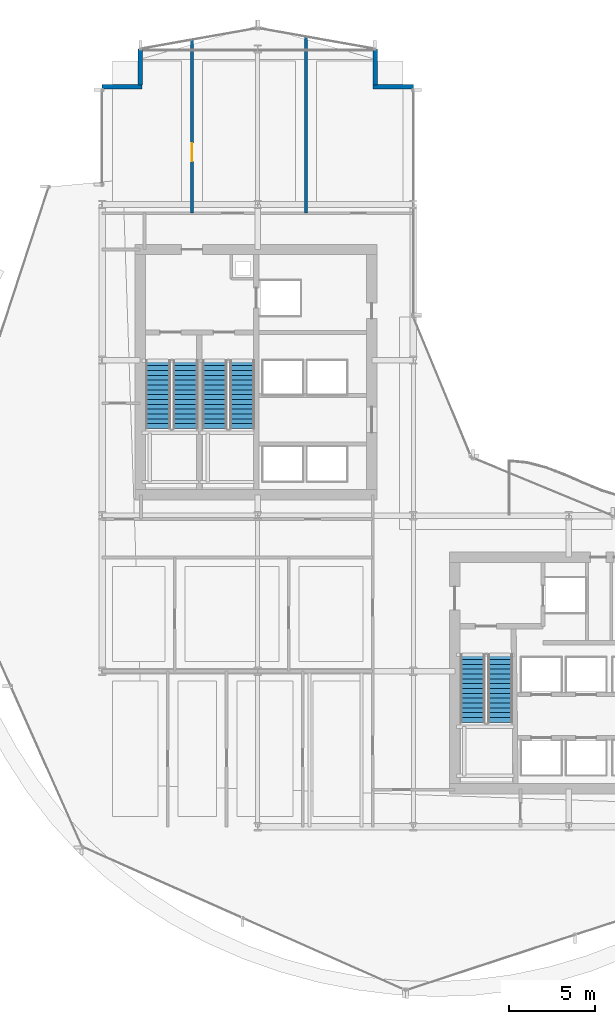
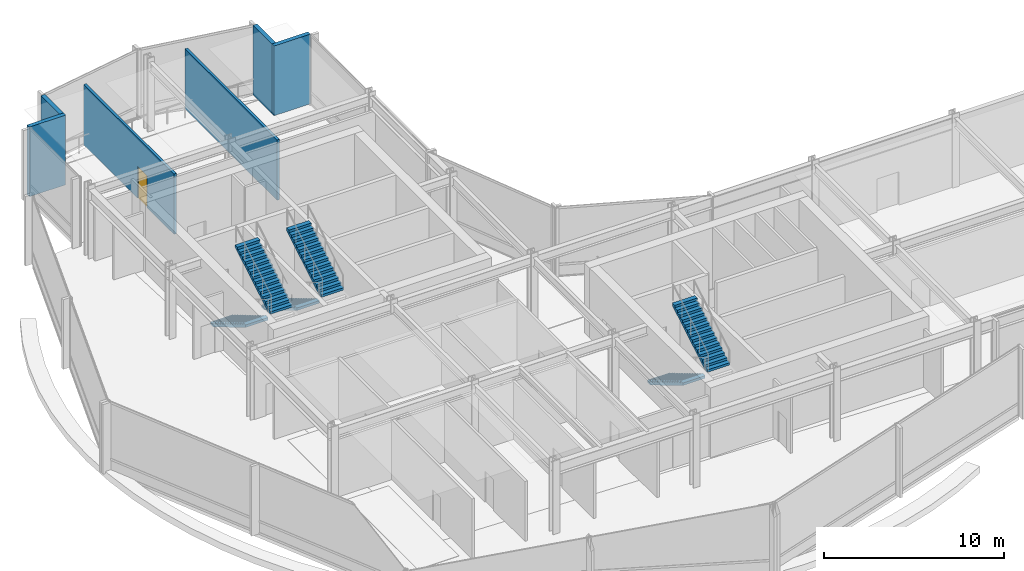
# One storey, part 31 of 39: 6 stair flights, 6 walls, 1 door, 1 opening, 3 elements without a shape of their own.
"""IFC4 building model written with IfcOpenShell, lengths in metres."""

from ifc_helpers import new_model, si_unit, direction, frame, frame_2d, origin, place, context, subcontext, project, spatial, polyline, rectangle, outline, extrude, material, layer, layer_set, type_object, element, fill, aggregate, save


model = new_model("IFC4")

# Units and contexts
model_context = context("Model", 3, precision=1e-05, world=origin(), true_north=direction((0.0, 1.0)))
body_context = subcontext(model_context, "Body", "Model", "MODEL_VIEW")
ifc_project = project(units=[si_unit("LENGTHUNIT", "METRE"), si_unit("AREAUNIT", "SQUARE_METRE"), si_unit("VOLUMEUNIT", "CUBIC_METRE"), si_unit("PLANEANGLEUNIT", "RADIAN"), si_unit("MASSUNIT", "GRAM", prefix="KILO")], contexts=[model_context])

# Site, building, storey
site_placement = place(None, origin())
site = spatial("IfcSite", under=ifc_project, at=site_placement, CompositionType="ELEMENT")
building_placement = place(site_placement, origin())
building = spatial("IfcBuilding", under=site, at=building_placement, Name="Solvaryn Broadcast Tower", CompositionType="ELEMENT")
storey_placement = place(building_placement, frame((0.0, 0.0, 84.10009765625)))
storey = spatial("IfcBuildingStorey", under=building, at=storey_placement, Name="L20", CompositionType="ELEMENT", Elevation=84.10009765625)

# Walls
ifc_material_1 = material(Name="Concrete f'c 50 MPa", Category="concrete")
ifc_layer_1 = layer(ifc_material_1, 0.260009765625)
ifc_layer_set_1 = layer_set([ifc_layer_1], Name="EW-PIER-260")
wall_type_1 = type_object("IfcWallType", Name="EW-PIER-260", PredefinedType="SOLIDWALL", material=ifc_layer_set_1)
wall_1_placement = place(storey_placement, frame((9.0, 51.800048828125, 0.0), z_axis=(0.0, 0.0, 1.0), x_axis=(1.0, 0.0, 0.0)))
element("IfcWall", 1, at=wall_1_placement, inside=storey, type_object=wall_type_1, Name="L20 Notched Corner Pier Wall NNW1", PredefinedType="SOLIDWALL", context=body_context, shape_type="SweptSolid", body=[
    extrude(rectangle(XDim=2.320068359375, YDim=0.260009765625, at=frame_2d((1.16015625, 0.0))), origin(), (0.0, 0.0, 1.0), 4.719970703125),
])
for number, where, z_axis, x_axis, name in (
    (2, (11.199951171875, 51.919921875, 0.0), (0.0, 0.0, 1.0), (0.0, 1.0, 0.0), "L20 Notched Corner Pier Wall NNW2"),
    (3, (24.800048828125, 54.0, 0.0), (0.0, 0.0, 1.0), (0.0, -1.0, 0.0), "L20 Notched Corner Pier Wall NNE1"),
):
    element("IfcWall", number, at=place(storey_placement, frame(where, z_axis=z_axis, x_axis=x_axis)), inside=storey, type_object=wall_type_1, Name=name, PredefinedType="SOLIDWALL", context=body_context, shape_type="SweptSolid", body=[
        extrude(rectangle(XDim=2.080078125, YDim=0.260009765625, at=frame_2d((1.0400390625, 0.0))), origin(), (0.0, 0.0, 1.0), 4.719970703125),
    ])
wall_2_placement = place(storey_placement, frame((24.679931640625, 51.800048828125, 0.0), z_axis=(0.0, 0.0, 1.0), x_axis=(1.0, 0.0, 0.0)))
element("IfcWall", 4, at=wall_2_placement, inside=storey, type_object=wall_type_1, Name="L20 Notched Corner Pier Wall NNE2", PredefinedType="SOLIDWALL", context=body_context, shape_type="SweptSolid", body=[
    extrude(rectangle(XDim=2.320068359375, YDim=0.260009765625, at=frame_2d((1.16015625, 0.0))), origin(), (0.0, 0.0, 1.0), 4.719970703125),
])

# Wall, opening, door
ifc_material_2 = material(Name="Metal-Stud Gypsum Office Partition")
ifc_layer_2 = layer(ifc_material_2, 0.159912109375)
ifc_layer_set_2 = layer_set([ifc_layer_2], Name="IW-PART-160")
wall_type_2 = type_object("IfcWallType", Name="IW-PART-160", PredefinedType="PARTITIONING", material=ifc_layer_set_2)
wall_3_placement = place(storey_placement, frame((14.199951171875, 44.5, 0.0), z_axis=(0.0, 0.0, 1.0), x_axis=(0.0, 1.0, 0.0)))
wall_3 = element("IfcWall", 5, at=wall_3_placement, inside=storey, type_object=wall_type_2, Name="L20 Interior Partition IW-L20-NW-V1", PredefinedType="PARTITIONING", context=body_context, shape_type="SweptSolid", body=[
    extrude(rectangle(XDim=10.029052734375, YDim=0.159912109375, at=frame_2d((5.0146484375, 0.0))), origin(), (0.0, 0.0, 1.0), 4.0888671875),
])
opening_placement = place(wall_3_placement, frame((3.0, 0.0, 0.0)))
opening = element("IfcOpeningElement", 6, at=opening_placement, cuts=wall_3, Name="Opening ID03", PredefinedType="OPENING", context=body_context, shape_type="SweptSolid", body=[
    extrude(rectangle(XDim=1.050048828125, YDim=2.14990234375, at=frame_2d((0.52490234375, 1.074951171875))), frame((0.0, 0.090087890625, 0.0), z_axis=(0.0, -1.0, 0.0), x_axis=(1.0, 0.0, 0.0)), (0.0, 0.0, 1.0), 0.179931640625),
])
ifc_material_3 = material(Name="Flush Acoustic Steel and Timber Door Assembly", Category="steel")
door_type = type_object("IfcDoorType", Name="ID-03-1050X2150", OperationType="NOTDEFINED", PredefinedType="DOOR", material=ifc_material_3)
door_placement = place(opening_placement, origin())
door = element("IfcDoor", 7, at=door_placement, inside=storey, type_object=door_type, Name="L20 Door DR-L20-NW-C1", OperationType="SINGLE_SWING_LEFT", OverallHeight=2.14990234375, OverallWidth=1.050048828125, PredefinedType="DOOR", context=body_context, shape_type="SweptSolid", body=[
    extrude(rectangle(XDim=1.050048828125, YDim=2.14990234375, at=frame_2d((0.52490234375, 1.074951171875))), frame((0.0, 0.02490234375, 0.0), z_axis=(0.0, -1.0, 0.0), x_axis=(1.0, 0.0, 0.0)), (0.0, 0.0, 1.0), 0.050048828125),
])
fill(opening, door)

# Wall
wall_4_placement = place(storey_placement, frame((20.800048828125, 44.5, 0.0), z_axis=(0.0, 0.0, 1.0), x_axis=(0.0, 1.0, 0.0)))
element("IfcWall", 8, at=wall_4_placement, inside=storey, type_object=wall_type_2, Name="L20 Interior Partition IW-L20-NW-V2", PredefinedType="PARTITIONING", context=body_context, shape_type="SweptSolid", body=[
    extrude(rectangle(XDim=10.2060546875, YDim=0.159912109375, at=frame_2d((5.10302734375, 0.0))), origin(), (0.0, 0.0, 1.0), 4.0888671875),
])

# Stair, stair flights
ifc_material_4 = material(Name="Concrete f'c 60 MPa", Category="concrete")
stair_type = type_object("IfcStairType", Name="ST-CORE", PredefinedType="HALF_TURN_STAIR", material=ifc_material_4)
stair_1_placement = place(storey_placement, origin())
stair_1 = element("IfcStair", 9, at=stair_1_placement, inside=storey, type_object=stair_type, Name="L20 ST1", PredefinedType="HALF_TURN_STAIR")
ifc_material_5 = material(Name="Concrete f'c 60 MPa", Category="concrete")
ifc_layer_3 = layer(ifc_material_5, 0.159912109375)
ifc_layer_set_3 = layer_set([ifc_layer_3], Name="SF-CORE")
stair_flight_type = type_object("IfcStairFlightType", Name="SF-CORE", PredefinedType="STRAIGHT", material=ifc_layer_set_3)
stair_flight_1_placement = place(storey_placement, frame((12.239990234375, 35.9599609375, 0.0), z_axis=(0.0, 0.0, 1.0), x_axis=(0.0, -1.0, 0.0)))
stair_flight_1 = element("IfcStairFlight", 10, at=stair_flight_1_placement, type_object=stair_flight_type, Name="ST1 flight 1", NumberOfRisers=15, NumberOfTreads=14, PredefinedType="STRAIGHT", RiserHeight=0.166666667, TreadLength=0.28, context=body_context, shape_type="SweptSolid", body=[
    extrude(outline(polyline([(0.0, 0.0), (0.0, 0.166748046875), (0.280029296875, 0.166748046875), (0.280029296875, 0.333251953125), (0.56005859375, 0.333251953125), (0.56005859375, 0.5), (0.840087890625, 0.5), (0.840087890625, 0.666748046875), (1.1201171875, 0.666748046875), (1.1201171875, 0.833251953125), (1.39990234375, 0.833251953125), (1.39990234375, 1.0), (1.679931640625, 1.0), (1.679931640625, 1.166748046875), (1.9599609375, 1.166748046875), (1.9599609375, 1.333251953125), (2.239990234375, 1.333251953125), (2.239990234375, 1.5), (2.52001953125, 1.5), (2.52001953125, 1.666748046875), (2.800048828125, 1.666748046875), (2.800048828125, 1.833251953125), (3.080078125, 1.833251953125), (3.080078125, 2.0), (3.360107421875, 2.0), (3.360107421875, 2.166748046875), (3.639892578125, 2.166748046875), (3.639892578125, 2.333251953125), (3.919921875, 2.333251953125), (3.919921875, 2.5), (3.919921875, 2.158935546875), (0.29296875, 0.0), (0.0, 0.0)])), frame((0.0, 0.719970703125, 0.0), z_axis=(0.0, -1.0, 0.0), x_axis=(1.0, 0.0, 0.0)), (0.0, 0.0, 1.0), 1.43994140625),
])
stair_flight_2_placement = place(storey_placement, frame((13.830078125, 32.0400390625, 2.5), z_axis=(0.0, 0.0, 1.0), x_axis=(0.0, 1.0, 0.0)))
stair_flight_2 = element("IfcStairFlight", 11, at=stair_flight_2_placement, type_object=stair_flight_type, Name="ST1 flight 2", NumberOfRisers=15, NumberOfTreads=14, PredefinedType="STRAIGHT", RiserHeight=0.166666667, TreadLength=0.28, context=body_context, shape_type="SweptSolid", body=[
    extrude(outline(polyline([(0.0, 0.0), (0.0, 0.166748046875), (0.280029296875, 0.166748046875), (0.280029296875, 0.333251953125), (0.56005859375, 0.333251953125), (0.56005859375, 0.5), (0.840087890625, 0.5), (0.840087890625, 0.666748046875), (1.1201171875, 0.666748046875), (1.1201171875, 0.833251953125), (1.39990234375, 0.833251953125), (1.39990234375, 1.0), (1.679931640625, 1.0), (1.679931640625, 1.166748046875), (1.9599609375, 1.166748046875), (1.9599609375, 1.333251953125), (2.239990234375, 1.333251953125), (2.239990234375, 1.5), (2.52001953125, 1.5), (2.52001953125, 1.666748046875), (2.800048828125, 1.666748046875), (2.800048828125, 1.833251953125), (3.080078125, 1.833251953125), (3.080078125, 2.0), (3.360107421875, 2.0), (3.360107421875, 2.166748046875), (3.639892578125, 2.166748046875), (3.639892578125, 2.333251953125), (3.919921875, 2.333251953125), (3.919921875, 2.5), (3.919921875, 2.158935546875), (0.29296875, 0.0), (0.0, 0.0)])), frame((0.0, 0.719970703125, 0.0), z_axis=(0.0, -1.0, 0.0), x_axis=(1.0, 0.0, 0.0)), (0.0, 0.0, 1.0), 1.43994140625),
])
aggregate(stair_1, [stair_flight_1, stair_flight_2])

stair_2_placement = place(storey_placement, origin())
stair_2 = element("IfcStair", 12, at=stair_2_placement, inside=storey, type_object=stair_type, Name="L20 ST2", PredefinedType="HALF_TURN_STAIR")
stair_flight_3_placement = place(storey_placement, frame((15.52001953125, 35.9599609375, 0.0), z_axis=(0.0, 0.0, 1.0), x_axis=(0.0, -1.0, 0.0)))
stair_flight_3 = element("IfcStairFlight", 13, at=stair_flight_3_placement, type_object=stair_flight_type, Name="ST2 flight 1", NumberOfRisers=15, NumberOfTreads=14, PredefinedType="STRAIGHT", RiserHeight=0.166666667, TreadLength=0.28, context=body_context, shape_type="SweptSolid", body=[
    extrude(outline(polyline([(0.0, 0.0), (0.0, 0.166748046875), (0.280029296875, 0.166748046875), (0.280029296875, 0.333251953125), (0.56005859375, 0.333251953125), (0.56005859375, 0.5), (0.840087890625, 0.5), (0.840087890625, 0.666748046875), (1.1201171875, 0.666748046875), (1.1201171875, 0.833251953125), (1.39990234375, 0.833251953125), (1.39990234375, 1.0), (1.679931640625, 1.0), (1.679931640625, 1.166748046875), (1.9599609375, 1.166748046875), (1.9599609375, 1.333251953125), (2.239990234375, 1.333251953125), (2.239990234375, 1.5), (2.52001953125, 1.5), (2.52001953125, 1.666748046875), (2.800048828125, 1.666748046875), (2.800048828125, 1.833251953125), (3.080078125, 1.833251953125), (3.080078125, 2.0), (3.360107421875, 2.0), (3.360107421875, 2.166748046875), (3.639892578125, 2.166748046875), (3.639892578125, 2.333251953125), (3.919921875, 2.333251953125), (3.919921875, 2.5), (3.919921875, 2.158935546875), (0.29296875, 0.0), (0.0, 0.0)])), frame((0.0, 0.719970703125, 0.0), z_axis=(0.0, -1.0, 0.0), x_axis=(1.0, 0.0, 0.0)), (0.0, 0.0, 1.0), 1.43994140625),
])
stair_flight_4_placement = place(storey_placement, frame((17.110107421875, 32.0400390625, 2.5), z_axis=(0.0, 0.0, 1.0), x_axis=(0.0, 1.0, 0.0)))
stair_flight_4 = element("IfcStairFlight", 14, at=stair_flight_4_placement, type_object=stair_flight_type, Name="ST2 flight 2", NumberOfRisers=15, NumberOfTreads=14, PredefinedType="STRAIGHT", RiserHeight=0.166666667, TreadLength=0.28, context=body_context, shape_type="SweptSolid", body=[
    extrude(outline(polyline([(0.0, 0.0), (0.0, 0.166748046875), (0.280029296875, 0.166748046875), (0.280029296875, 0.333251953125), (0.56005859375, 0.333251953125), (0.56005859375, 0.5), (0.840087890625, 0.5), (0.840087890625, 0.666748046875), (1.1201171875, 0.666748046875), (1.1201171875, 0.833251953125), (1.39990234375, 0.833251953125), (1.39990234375, 1.0), (1.679931640625, 1.0), (1.679931640625, 1.166748046875), (1.9599609375, 1.166748046875), (1.9599609375, 1.333251953125), (2.239990234375, 1.333251953125), (2.239990234375, 1.5), (2.52001953125, 1.5), (2.52001953125, 1.666748046875), (2.800048828125, 1.666748046875), (2.800048828125, 1.833251953125), (3.080078125, 1.833251953125), (3.080078125, 2.0), (3.360107421875, 2.0), (3.360107421875, 2.166748046875), (3.639892578125, 2.166748046875), (3.639892578125, 2.333251953125), (3.919921875, 2.333251953125), (3.919921875, 2.5), (3.919921875, 2.158935546875), (0.29296875, 0.0), (0.0, 0.0)])), frame((0.0, 0.719970703125, 0.0), z_axis=(0.0, -1.0, 0.0), x_axis=(1.0, 0.0, 0.0)), (0.0, 0.0, 1.0), 1.43994140625),
])
aggregate(stair_2, [stair_flight_3, stair_flight_4])

stair_3_placement = place(storey_placement, origin())
stair_3 = element("IfcStair", 15, at=stair_3_placement, inside=storey, type_object=stair_type, Name="L20 ST3", PredefinedType="HALF_TURN_STAIR")
stair_flight_5_placement = place(storey_placement, frame((30.43994140625, 18.9599609375, 0.0), z_axis=(0.0, 0.0, 1.0), x_axis=(0.0, -1.0, 0.0)))
stair_flight_5 = element("IfcStairFlight", 16, at=stair_flight_5_placement, type_object=stair_flight_type, Name="ST3 flight 1", NumberOfRisers=15, NumberOfTreads=14, PredefinedType="STRAIGHT", RiserHeight=0.166666667, TreadLength=0.28, context=body_context, shape_type="SweptSolid", body=[
    extrude(outline(polyline([(0.0, 0.0), (0.0, 0.166748046875), (0.280029296875, 0.166748046875), (0.280029296875, 0.333251953125), (0.56005859375, 0.333251953125), (0.56005859375, 0.5), (0.840087890625, 0.5), (0.840087890625, 0.666748046875), (1.1201171875, 0.666748046875), (1.1201171875, 0.833251953125), (1.39990234375, 0.833251953125), (1.39990234375, 1.0), (1.679931640625, 1.0), (1.679931640625, 1.166748046875), (1.9599609375, 1.166748046875), (1.9599609375, 1.333251953125), (2.239990234375, 1.333251953125), (2.239990234375, 1.5), (2.52001953125, 1.5), (2.52001953125, 1.666748046875), (2.800048828125, 1.666748046875), (2.800048828125, 1.833251953125), (3.080078125, 1.833251953125), (3.080078125, 2.0), (3.360107421875, 2.0), (3.360107421875, 2.166748046875), (3.639892578125, 2.166748046875), (3.639892578125, 2.333251953125), (3.919921875, 2.333251953125), (3.919921875, 2.5), (3.919921875, 2.158935546875), (0.29296875, 0.0), (0.0, 0.0)])), frame((0.0, 0.719970703125, 0.0), z_axis=(0.0, -1.0, 0.0), x_axis=(1.0, 0.0, 0.0)), (0.0, 0.0, 1.0), 1.43994140625),
])
stair_flight_6_placement = place(storey_placement, frame((32.030029296875, 15.0400390625, 2.5), z_axis=(0.0, 0.0, 1.0), x_axis=(0.0, 1.0, 0.0)))
stair_flight_6 = element("IfcStairFlight", 17, at=stair_flight_6_placement, type_object=stair_flight_type, Name="ST3 flight 2", NumberOfRisers=15, NumberOfTreads=14, PredefinedType="STRAIGHT", RiserHeight=0.166666667, TreadLength=0.28, context=body_context, shape_type="SweptSolid", body=[
    extrude(outline(polyline([(0.0, 0.0), (0.0, 0.166748046875), (0.280029296875, 0.166748046875), (0.280029296875, 0.333251953125), (0.56005859375, 0.333251953125), (0.56005859375, 0.5), (0.840087890625, 0.5), (0.840087890625, 0.666748046875), (1.1201171875, 0.666748046875), (1.1201171875, 0.833251953125), (1.39990234375, 0.833251953125), (1.39990234375, 1.0), (1.679931640625, 1.0), (1.679931640625, 1.166748046875), (1.9599609375, 1.166748046875), (1.9599609375, 1.333251953125), (2.239990234375, 1.333251953125), (2.239990234375, 1.5), (2.52001953125, 1.5), (2.52001953125, 1.666748046875), (2.800048828125, 1.666748046875), (2.800048828125, 1.833251953125), (3.080078125, 1.833251953125), (3.080078125, 2.0), (3.360107421875, 2.0), (3.360107421875, 2.166748046875), (3.639892578125, 2.166748046875), (3.639892578125, 2.333251953125), (3.919921875, 2.333251953125), (3.919921875, 2.5), (3.919921875, 2.158935546875), (0.29296875, 0.0), (0.0, 0.0)])), frame((0.0, 0.719970703125, 0.0), z_axis=(0.0, -1.0, 0.0), x_axis=(1.0, 0.0, 0.0)), (0.0, 0.0, 1.0), 1.43994140625),
])
aggregate(stair_3, [stair_flight_5, stair_flight_6])

save(model, "model.ifc")
